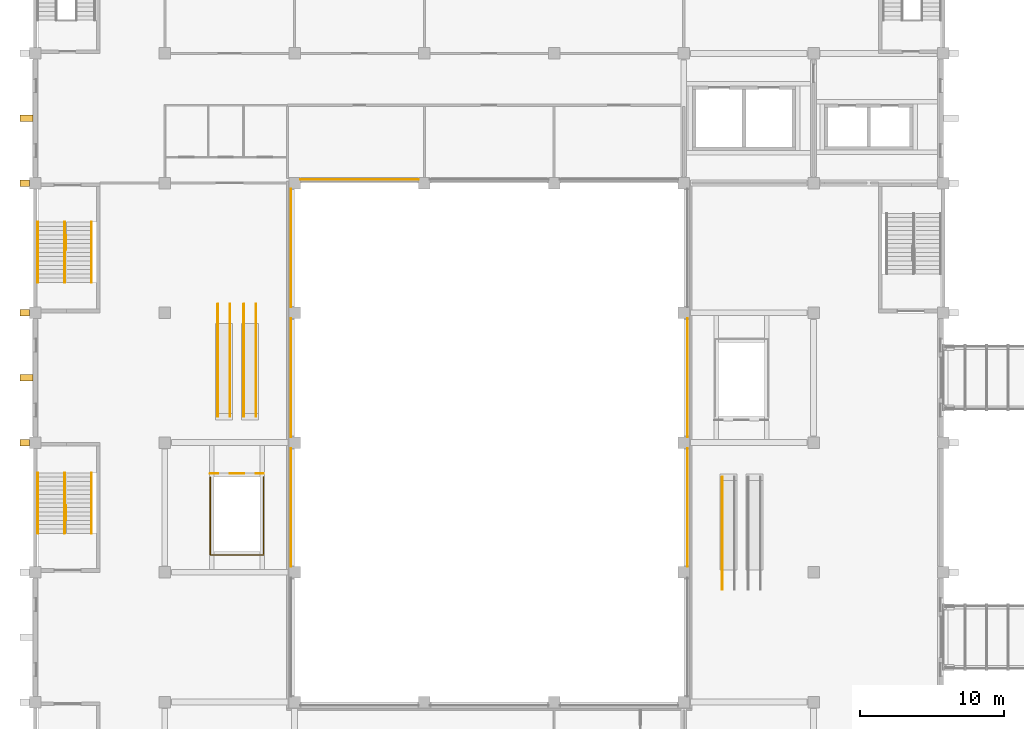
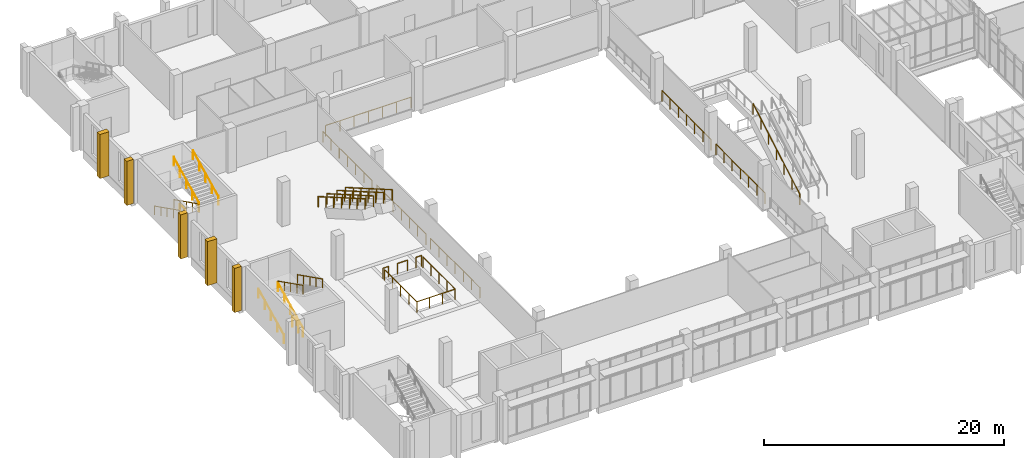
# One storey, part 98 of 106: 25 railings, 5 coverings.
"""IFC4 building model written with IfcOpenShell, lengths in metres."""

import ifcopenshell
import ifcopenshell.guid

model = None  # the IFC model being written
_history = None  # IfcOwnerHistory: only IFC2X3 demands one
_inside = {}  # id of a spatial element -> (the spatial element, [elements in it])
_under = {}  # id of a project, library or spatial element -> (it, [spatial elements below it])
_declared = {}  # id of a project -> (the project, [libraries it declares])
_typed = {}  # id of a type object -> (the type object, [elements of that type])
_made_of = {}  # id of a material, layer set ... -> (it, [elements and type objects made of it])


def new_model(schema):
    """Start an empty IFC model of exactly this schema.

    Asked for "IFC4X3", IfcOpenShell would pick the latest addendum, in which some entities
    have other attributes; the version numbers below select the first issue.
    IFC2X3 requires an IfcOwnerHistory on every rooted entity: one is made here for all.
    """
    global model, _history
    if schema == "IFC4X3":
        model = ifcopenshell.file(schema_version=(4, 3, 0, 0))
    else:
        model = ifcopenshell.file(schema=schema)
    _inside.clear()
    _under.clear()
    _declared.clear()
    _typed.clear()
    _made_of.clear()
    _history = None
    if model.schema == "IFC2X3":
        org = make("IfcOrganization", Name="unknown")
        user = make(
            "IfcPersonAndOrganization",
            ThePerson=make("IfcPerson", FamilyName="unknown"),
            TheOrganization=org,
        )
        app = make(
            "IfcApplication",
            ApplicationDeveloper=org,
            Version="unknown",
            ApplicationFullName="unknown",
            ApplicationIdentifier="unknown",
        )
        _history = make(
            "IfcOwnerHistory",
            OwningUser=user,
            OwningApplication=app,
            ChangeAction="ADDED",
            CreationDate=0,
        )
    return model


def make(cls, **values):
    """One entity of the class cls with the attributes given. An attribute that is None is left unset."""
    return model.create_entity(
        cls, **{name: value for name, value in values.items() if value is not None}
    )


def rooted(cls, **values):
    """An entity with a GlobalId (a new one), such as an element, a storey or a relation."""
    return make(cls, GlobalId=ifcopenshell.guid.new(), OwnerHistory=_history, **values)


def si_unit(unit_type, name, prefix=None):
    """IfcSIUnit, for example si_unit("LENGTHUNIT", "METRE", prefix="MILLI")."""
    return make("IfcSIUnit", UnitType=unit_type, Prefix=prefix, Name=name)


def assignment(units):
    """IfcUnitAssignment: the units of a project."""
    return None if units is None else make("IfcUnitAssignment", Units=units)


def point(xyz):
    """IfcCartesianPoint."""
    return None if xyz is None else make("IfcCartesianPoint", Coordinates=xyz)


def direction(xyz):
    """IfcDirection."""
    return None if xyz is None else make("IfcDirection", DirectionRatios=xyz)


def frame(location, z_axis=None, x_axis=None):
    """IfcAxis2Placement3D, a coordinate frame: its origin and axes. An axis left out is left unset."""
    return make(
        "IfcAxis2Placement3D",
        Location=point(location),
        Axis=direction(z_axis),
        RefDirection=direction(x_axis),
    )


def frame_2d(location, x_axis=None):
    """IfcAxis2Placement2D, a coordinate frame in the plane: its origin and x axis."""
    return make(
        "IfcAxis2Placement2D", Location=point(location), RefDirection=direction(x_axis)
    )


def origin():
    """The frame at (0, 0, 0) with its axes left unset."""
    return frame((0.0, 0.0, 0.0))


def origin_2d():
    """The frame at (0, 0) in the plane with its x axis left unset."""
    return frame_2d((0.0, 0.0))


def place(relative_to, where):
    """IfcLocalPlacement: puts the frame where relative to a parent placement (None: the world)."""
    return make(
        "IfcLocalPlacement", PlacementRelTo=relative_to, RelativePlacement=where
    )


def context(
    kind, dimensions, precision=None, world=None, true_north=None, identifier=None
):
    """IfcGeometricRepresentationContext, for example the 3D "Model" context."""
    return make(
        "IfcGeometricRepresentationContext",
        ContextIdentifier=identifier,
        ContextType=kind,
        CoordinateSpaceDimension=dimensions,
        Precision=precision,
        WorldCoordinateSystem=world,
        TrueNorth=true_north,
    )


def subcontext(parent, identifier, kind, view, scale=None):
    """IfcGeometricRepresentationSubContext, for example "Body" below "Model"."""
    return make(
        "IfcGeometricRepresentationSubContext",
        ContextIdentifier=identifier,
        ContextType=kind,
        ParentContext=parent,
        TargetScale=scale,
        TargetView=view,
    )


def project(units=None, contexts=None):
    """IfcProject with its units and contexts."""
    return rooted(
        "IfcProject",
        Name="project",
        RepresentationContexts=contexts,
        UnitsInContext=assignment(units),
    )


def spatial(cls, under=None, at=None, **own):
    """A site, building, storey or space (cls), placed at a placement, below another one or the project."""
    s = rooted(cls, ObjectPlacement=at, **own)
    if under is not None:
        _under.setdefault(under.id(), (under, []))[1].append(s)
    return s


def profile(cls, at=None, kind="AREA", **sizes):
    """A parametric profile (cls). Its sizes go by their IFC names, for example OverallWidth=200.0."""
    return make(cls, ProfileType=kind, Position=at, **sizes)


def rectangle(**sizes):
    """IfcRectangleProfileDef."""
    return profile("IfcRectangleProfileDef", **sizes)


def circle(**sizes):
    """IfcCircleProfileDef."""
    return profile("IfcCircleProfileDef", **sizes)


def extrude(swept, where, along, depth):
    """IfcExtrudedAreaSolid: the profile swept, set in the frame where, extruded along a direction by depth."""
    return make(
        "IfcExtrudedAreaSolid",
        SweptArea=swept,
        Position=where,
        ExtrudedDirection=direction(along),
        Depth=depth,
    )


def shape(context_of_items, identifier, shape_type, items):
    """IfcShapeRepresentation: the items that make up one representation, for example the "Body"."""
    return make(
        "IfcShapeRepresentation",
        ContextOfItems=context_of_items,
        RepresentationIdentifier=identifier,
        RepresentationType=shape_type,
        Items=items,
    )


def material(Name=None, Category=None):
    """IfcMaterial."""
    return make("IfcMaterial", Name=Name, Category=Category)


def layer(
    of_material, thickness, ventilated=None, Name=None, Category=None, Priority=None
):
    """IfcMaterialLayer: one layer of a wall or slab, of a material (None: an air gap)."""
    return make(
        "IfcMaterialLayer",
        Material=of_material,
        LayerThickness=thickness,
        IsVentilated=ventilated,
        Name=Name,
        Category=Category,
        Priority=Priority,
    )


def layer_set(layers, Name=None):
    """IfcMaterialLayerSet."""
    return make("IfcMaterialLayerSet", MaterialLayers=layers, LayerSetName=Name)


def made_of(thing, what):
    """Note that an element or type object is made of a material, layer set ...; save() writes the relation."""
    if what is not None:
        _made_of.setdefault(what.id(), (what, []))[1].append(thing)
    return thing


def type_object(cls, material=None, **own):
    """A type object (cls), such as IfcWallType, which elements share."""
    return made_of(rooted(cls, **own), material)


def element(
    cls,
    number,
    at=None,
    inside=None,
    cuts=None,
    type_object=None,
    material=None,
    context=None,
    identifier="Body",
    shape_type=None,
    held_by="IfcProductDefinitionShape",
    body=None,
    shapes=None,
    **own,
):
    """One element of the class cls, such as IfcWall. Its Tag is "e" and its number.

    at: its placement. inside: the storey or other place that contains it. cuts: it is an
    opening in that element (IfcRelVoidsElement). A single representation is given by context,
    identifier, shape_type and body (its items); several are given by shapes. held_by: the class
    of the entity that holds the representations. save() writes the other relations.
    """
    e = rooted(cls, Tag="e%d" % number, ObjectPlacement=at, **own)
    if body is not None:
        shapes = [shape(context, identifier, shape_type, body)]
    if shapes is not None:
        e.Representation = make(held_by, Representations=shapes)
    if inside is not None:
        _inside.setdefault(inside.id(), (inside, []))[1].append(e)
    if cuts is not None:
        rooted(
            "IfcRelVoidsElement", RelatingBuildingElement=cuts, RelatedOpeningElement=e
        )
    if type_object is not None:
        _typed.setdefault(type_object.id(), (type_object, []))[1].append(e)
    return made_of(e, material)


def aggregate(whole, parts):
    """IfcRelAggregates: a whole, such as a stair, and the parts it consists of."""
    return rooted("IfcRelAggregates", RelatingObject=whole, RelatedObjects=parts)


def save(model, path):
    """Write the relations noted so far, then the file.

    IfcRelAggregates (storeys below a building ...), IfcRelContainedInSpatialStructure (elements
    in a storey), IfcRelDefinesByType, IfcRelAssociatesMaterial and IfcRelDeclares: one each for
    every whole, place, type object, material and project.
    """
    for whole, parts in _under.values():
        aggregate(whole, parts)
    for where, things in _inside.values():
        rooted(
            "IfcRelContainedInSpatialStructure",
            RelatedElements=things,
            RelatingStructure=where,
        )
    for kind, things in _typed.values():
        rooted("IfcRelDefinesByType", RelatedObjects=things, RelatingType=kind)
    for what, things in _made_of.values():
        rooted("IfcRelAssociatesMaterial", RelatedObjects=things, RelatingMaterial=what)
    for by, libraries in _declared.values():
        rooted("IfcRelDeclares", RelatingContext=by, RelatedDefinitions=libraries)
    model.write(path)


model = new_model("IFC4")

# Units and contexts
model_context = context("Model", 3, precision=1e-05, world=origin(), true_north=direction((0.0, 1.0)))
body_context = subcontext(model_context, "Body", "Model", "MODEL_VIEW")
ifc_project = project(units=[si_unit("LENGTHUNIT", "METRE"), si_unit("AREAUNIT", "SQUARE_METRE"), si_unit("VOLUMEUNIT", "CUBIC_METRE"), si_unit("PLANEANGLEUNIT", "RADIAN"), si_unit("MASSUNIT", "GRAM", prefix="KILO")], contexts=[model_context])

# Site, building, storey
site_placement = place(None, origin())
site = spatial("IfcSite", under=ifc_project, at=site_placement, CompositionType="ELEMENT")
building_placement = place(site_placement, origin())
building = spatial("IfcBuilding", under=site, at=building_placement, Name="Guidao Yard Department Store", CompositionType="ELEMENT")
storey_placement = place(building_placement, frame((0.0, 0.0, 10.5)))
storey = spatial("IfcBuildingStorey", under=building, at=storey_placement, Name="L02", CompositionType="ELEMENT", Elevation=10.5)

# Railings
ifc_material_1 = material(Name="Laminated glass", Category="glass")
railing_type_1 = type_object("IfcRailingType", Name="Escalator balustrade glass 1100", PredefinedType="BALUSTRADE", material=ifc_material_1)
railing_1_placement = place(storey_placement, frame((47.679931640625, 61.800048828125, 0.0)))
element("IfcRailing", 1, at=railing_1_placement, inside=storey, type_object=railing_type_1, Name="Escalator EH5 up balustrade", PredefinedType="BALUSTRADE", context=body_context, shape_type="SweptSolid", body=[
    extrude(circle(Radius=0.030029296875, at=origin_2d()), frame((0.0, 0.0, 1.070068359375), z_axis=(0.0, 0.866017533419, 0.500013631625), x_axis=(-1.0, 0.0, 0.0)), (0.0, 0.0, 1.0), 8.999755859375),
    extrude(circle(Radius=0.02490234375, at=origin_2d()), origin(), (0.0, 0.0, 1.0), 1.0400390625),
    extrude(circle(Radius=0.02490234375, at=origin_2d()), frame((0.0, 1.299072265625, 0.75)), (0.0, 0.0, 1.0), 1.0400390625),
    extrude(circle(Radius=0.02490234375, at=origin_2d()), frame((0.0, 2.597900390625, 1.5)), (0.0, 0.0, 1.0), 1.0400390625),
    extrude(circle(Radius=0.02490234375, at=origin_2d()), frame((0.0, 3.89697265625, 2.25)), (0.0, 0.0, 1.0), 1.0400390625),
    extrude(circle(Radius=0.02490234375, at=origin_2d()), frame((0.0, 5.196044921875, 3.0)), (0.0, 0.0, 1.0), 1.0400390625),
    extrude(circle(Radius=0.02490234375, at=origin_2d()), frame((0.0, 6.494873046875, 3.75)), (0.0, 0.0, 1.0), 1.0400390625),
    extrude(circle(Radius=0.02490234375, at=origin_2d()), frame((0.0, 7.7939453125, 4.5)), (0.0, 0.0, 1.0), 1.0400390625),
])
for number, where, name in (
    (2, (12.679931640625, 81.60009765625, 0.0), "Escalator EH6 up balustrade"),
    (3, (13.52001953125, 81.60009765625, 0.0), "Escalator EH6 up balustrade"),
    (4, (14.47998046875, 81.60009765625, 0.0), "Escalator EH6 down balustrade"),
    (5, (15.320068359375, 81.60009765625, 0.0), "Escalator EH6 down balustrade"),
):
    element("IfcRailing", number, at=place(storey_placement, frame(where)), inside=storey, type_object=railing_type_1, Name=name, PredefinedType="BALUSTRADE", context=body_context, shape_type="SweptSolid", body=[
        extrude(circle(Radius=0.030029296875, at=origin_2d()), frame((0.0, 0.0, 1.070068359375), z_axis=(0.0, -0.866024315419, 0.5000018851), x_axis=(1.0, 0.0, 0.0)), (0.0, 0.0, 1.0), 9.0),
        extrude(circle(Radius=0.02490234375, at=origin_2d()), origin(), (0.0, 0.0, 1.0), 1.0400390625),
        extrude(circle(Radius=0.02490234375, at=origin_2d()), frame((0.0, -1.299072265625, 0.75)), (0.0, 0.0, 1.0), 1.0400390625),
        extrude(circle(Radius=0.02490234375, at=origin_2d()), frame((0.0, -2.59814453125, 1.5)), (0.0, 0.0, 1.0), 1.0400390625),
        extrude(circle(Radius=0.02490234375, at=origin_2d()), frame((0.0, -3.89697265625, 2.25)), (0.0, 0.0, 1.0), 1.0400390625),
        extrude(circle(Radius=0.02490234375, at=origin_2d()), frame((0.0, -5.196044921875, 3.0)), (0.0, 0.0, 1.0), 1.0400390625),
        extrude(circle(Radius=0.02490234375, at=origin_2d()), frame((0.0, -6.4951171875, 3.75)), (0.0, 0.0, 1.0), 1.0400390625),
        extrude(circle(Radius=0.02490234375, at=origin_2d()), frame((0.0, -7.794189453125, 4.5)), (0.0, 0.0, 1.0), 1.0400390625),
    ])
ifc_material_2 = material(Name="Steel Q235", Category="steel")
railing_type_2 = type_object("IfcRailingType", Name="Guard steel balustrade 1100", PredefinedType="GUARDRAIL", material=ifc_material_2)
railing_2_placement = place(storey_placement, frame((2.125, 66.6298828125, 0.0)))
element("IfcRailing", 6, at=railing_2_placement, inside=storey, type_object=railing_type_2, Name="Stair A1 guard L02 1", PredefinedType="GUARDRAIL", context=body_context, shape_type="SweptSolid", body=[
    extrude(circle(Radius=0.02392578125, at=origin_2d()), frame((0.0, 0.0, 1.076171875), z_axis=(0.0, 1.0, 0.0), x_axis=(-1.0, 0.0, 0.0)), (0.0, 0.0, 1.0), 1.0),
    extrude(circle(Radius=0.02099609375, at=origin_2d()), origin(), (0.0, 0.0, 1.0), 1.052001953125),
    extrude(circle(Radius=0.02099609375, at=origin_2d()), frame((0.0, 1.0, 0.0)), (0.0, 0.0, 1.0), 1.052001953125),
])
railing_3_placement = place(storey_placement, frame((2.125, 86.3701171875, 0.0)))
element("IfcRailing", 7, at=railing_3_placement, inside=storey, type_object=railing_type_2, Name="Stair A3 guard L02 3", PredefinedType="GUARDRAIL", context=body_context, shape_type="SweptSolid", body=[
    extrude(circle(Radius=0.02392578125, at=origin_2d()), frame((0.0, 0.0, 1.076171875), z_axis=(0.0, -1.0, 0.0), x_axis=(1.0, 0.0, 0.0)), (0.0, 0.0, 1.0), 1.0),
    extrude(circle(Radius=0.02099609375, at=origin_2d()), origin(), (0.0, 0.0, 1.0), 1.052001953125),
    extrude(circle(Radius=0.02099609375, at=origin_2d()), frame((0.0, -1.0, 0.0)), (0.0, 0.0, 1.0), 1.052001953125),
])
railing_4_placement = place(storey_placement, frame((12.14990234375, 69.843994140625, 0.0)))
element("IfcRailing", 8, at=railing_4_placement, inside=storey, type_object=railing_type_2, Name="Guard escalator EH3 arrival 1", PredefinedType="GUARDRAIL", context=body_context, shape_type="SweptSolid", body=[
    extrude(circle(Radius=0.02392578125, at=origin_2d()), frame((0.0, 0.0, 1.076171875), z_axis=(1.0, 0.0, 0.0), x_axis=(0.0, 1.0, 0.0)), (0.0, 0.0, 1.0), 0.530029296875),
    extrude(circle(Radius=0.02099609375, at=origin_2d()), origin(), (0.0, 0.0, 1.0), 1.052001953125),
    extrude(circle(Radius=0.02099609375, at=origin_2d()), frame((0.530029296875, 0.0, 0.0)), (0.0, 0.0, 1.0), 1.052001953125),
])
railing_5_placement = place(storey_placement, frame((13.52001953125, 69.843994140625, 0.0)))
element("IfcRailing", 9, at=railing_5_placement, inside=storey, type_object=railing_type_2, Name="Guard escalator EH3 arrival 2", PredefinedType="GUARDRAIL", context=body_context, shape_type="SweptSolid", body=[
    extrude(circle(Radius=0.02392578125, at=origin_2d()), frame((0.0, 0.0, 1.076171875), z_axis=(1.0, 0.0, 0.0), x_axis=(0.0, 1.0, 0.0)), (0.0, 0.0, 1.0), 0.9599609375),
    extrude(circle(Radius=0.02099609375, at=origin_2d()), origin(), (0.0, 0.0, 1.0), 1.052001953125),
    extrude(circle(Radius=0.02099609375, at=origin_2d()), frame((0.9599609375, 0.0, 0.0)), (0.0, 0.0, 1.0), 1.052001953125),
])
railing_6_placement = place(storey_placement, frame((15.320068359375, 69.843994140625, 0.0)))
element("IfcRailing", 10, at=railing_6_placement, inside=storey, type_object=railing_type_2, Name="Guard escalator EH3 arrival 3", PredefinedType="GUARDRAIL", context=body_context, shape_type="SweptSolid", body=[
    extrude(circle(Radius=0.02392578125, at=origin_2d()), frame((0.0, 0.0, 1.076171875), z_axis=(1.0, 0.0, 0.0), x_axis=(0.0, 1.0, 0.0)), (0.0, 0.0, 1.0), 0.530029296875),
    extrude(circle(Radius=0.02099609375, at=origin_2d()), origin(), (0.0, 0.0, 1.0), 1.052001953125),
    extrude(circle(Radius=0.02099609375, at=origin_2d()), frame((0.530029296875, 0.0, 0.0)), (0.0, 0.0, 1.0), 1.052001953125),
])
for number, where, name in (
    (11, (45.25, 63.39990234375, 0.0), "Guard atrium E L02"),
    (12, (45.25, 72.39990234375, 0.0), "Guard atrium E L02"),
):
    element("IfcRailing", number, at=place(storey_placement, frame(where)), inside=storey, type_object=railing_type_2, Name=name, PredefinedType="GUARDRAIL", context=body_context, shape_type="SweptSolid", body=[
        extrude(circle(Radius=0.02392578125, at=origin_2d()), frame((0.0, 0.0, 1.076171875), z_axis=(0.0, 1.0, 0.0), x_axis=(-1.0, 0.0, 0.0)), (0.0, 0.0, 1.0), 8.2001953125),
        extrude(circle(Radius=0.02099609375, at=origin_2d()), origin(), (0.0, 0.0, 1.0), 1.052001953125),
        extrude(circle(Radius=0.02099609375, at=origin_2d()), frame((0.0, 1.36669921875, 0.0)), (0.0, 0.0, 1.0), 1.052001953125),
        extrude(circle(Radius=0.02099609375, at=origin_2d()), frame((0.0, 2.7333984375, 0.0)), (0.0, 0.0, 1.0), 1.052001953125),
        extrude(circle(Radius=0.02099609375, at=origin_2d()), frame((0.0, 4.10009765625, 0.0)), (0.0, 0.0, 1.0), 1.052001953125),
        extrude(circle(Radius=0.02099609375, at=origin_2d()), frame((0.0, 5.466796875, 0.0)), (0.0, 0.0, 1.0), 1.052001953125),
        extrude(circle(Radius=0.02099609375, at=origin_2d()), frame((0.0, 6.83349609375, 0.0)), (0.0, 0.0, 1.0), 1.052001953125),
        extrude(circle(Radius=0.02099609375, at=origin_2d()), frame((0.0, 8.2001953125, 0.0)), (0.0, 0.0, 1.0), 1.052001953125),
    ])
railing_7_placement = place(storey_placement, frame((26.60009765625, 90.25, 0.0)))
element("IfcRailing", 13, at=railing_7_placement, inside=storey, type_object=railing_type_2, Name="Guard atrium N L02", PredefinedType="GUARDRAIL", context=body_context, shape_type="SweptSolid", body=[
    extrude(circle(Radius=0.02392578125, at=origin_2d()), frame((0.0, 0.0, 1.076171875), z_axis=(-1.0, 0.0, 0.0), x_axis=(0.0, -1.0, 0.0)), (0.0, 0.0, 1.0), 8.2001953125),
    extrude(circle(Radius=0.02099609375, at=origin_2d()), origin(), (0.0, 0.0, 1.0), 1.052001953125),
    extrude(circle(Radius=0.02099609375, at=origin_2d()), frame((-1.36669921875, 0.0, 0.0)), (0.0, 0.0, 1.0), 1.052001953125),
    extrude(circle(Radius=0.02099609375, at=origin_2d()), frame((-2.7333984375, 0.0, 0.0)), (0.0, 0.0, 1.0), 1.052001953125),
    extrude(circle(Radius=0.02099609375, at=origin_2d()), frame((-4.10009765625, 0.0, 0.0)), (0.0, 0.0, 1.0), 1.052001953125),
    extrude(circle(Radius=0.02099609375, at=origin_2d()), frame((-5.466796875, 0.0, 0.0)), (0.0, 0.0, 1.0), 1.052001953125),
    extrude(circle(Radius=0.02099609375, at=origin_2d()), frame((-6.83349609375, 0.0, 0.0)), (0.0, 0.0, 1.0), 1.052001953125),
    extrude(circle(Radius=0.02099609375, at=origin_2d()), frame((-8.2001953125, 0.0, 0.0)), (0.0, 0.0, 1.0), 1.052001953125),
])
for number, where, name in (
    (14, (17.75, 89.60009765625, 0.0), "Guard atrium W L02"),
    (15, (17.75, 80.60009765625, 0.0), "Guard atrium W L02"),
    (16, (17.75, 71.60009765625, 0.0), "Guard atrium W L02"),
):
    element("IfcRailing", number, at=place(storey_placement, frame(where)), inside=storey, type_object=railing_type_2, Name=name, PredefinedType="GUARDRAIL", context=body_context, shape_type="SweptSolid", body=[
        extrude(circle(Radius=0.02392578125, at=origin_2d()), frame((0.0, 0.0, 1.076171875), z_axis=(0.0, -1.0, 0.0), x_axis=(1.0, 0.0, 0.0)), (0.0, 0.0, 1.0), 8.2001953125),
        extrude(circle(Radius=0.02099609375, at=origin_2d()), origin(), (0.0, 0.0, 1.0), 1.052001953125),
        extrude(circle(Radius=0.02099609375, at=origin_2d()), frame((0.0, -1.36669921875, 0.0)), (0.0, 0.0, 1.0), 1.052001953125),
        extrude(circle(Radius=0.02099609375, at=origin_2d()), frame((0.0, -2.7333984375, 0.0)), (0.0, 0.0, 1.0), 1.052001953125),
        extrude(circle(Radius=0.02099609375, at=origin_2d()), frame((0.0, -4.10009765625, 0.0)), (0.0, 0.0, 1.0), 1.052001953125),
        extrude(circle(Radius=0.02099609375, at=origin_2d()), frame((0.0, -5.466796875, 0.0)), (0.0, 0.0, 1.0), 1.052001953125),
        extrude(circle(Radius=0.02099609375, at=origin_2d()), frame((0.0, -6.83349609375, 0.0)), (0.0, 0.0, 1.0), 1.052001953125),
        extrude(circle(Radius=0.02099609375, at=origin_2d()), frame((0.0, -8.2001953125, 0.0)), (0.0, 0.0, 1.0), 1.052001953125),
    ])
railing_8_placement = place(storey_placement, frame((15.85009765625, 69.593994140625, 0.0)))
element("IfcRailing", 17, at=railing_8_placement, inside=storey, type_object=railing_type_2, Name="Guard well EH3 L02", PredefinedType="GUARDRAIL", context=body_context, shape_type="SweptSolid", body=[
    extrude(circle(Radius=0.02392578125, at=origin_2d()), frame((0.0, 0.0, 1.076171875), z_axis=(0.0, -1.0, 0.0), x_axis=(1.0, 0.0, 0.0)), (0.0, 0.0, 1.0), 5.387939453125),
    extrude(circle(Radius=0.02392578125, at=origin_2d()), frame((0.0, -5.387939453125, 1.076171875), z_axis=(-1.0, 0.0, 0.0), x_axis=(0.0, -1.0, 0.0)), (0.0, 0.0, 1.0), 3.7001953125),
    extrude(circle(Radius=0.02392578125, at=origin_2d()), frame((-3.7001953125, -5.387939453125, 1.076171875), z_axis=(0.0, 1.0, 0.0), x_axis=(-1.0, 0.0, 0.0)), (0.0, 0.0, 1.0), 5.387939453125),
    extrude(circle(Radius=0.02099609375, at=origin_2d()), origin(), (0.0, 0.0, 1.0), 1.052001953125),
    extrude(circle(Radius=0.02099609375, at=origin_2d()), frame((0.0, -1.346923828125, 0.0)), (0.0, 0.0, 1.0), 1.052001953125),
    extrude(circle(Radius=0.02099609375, at=origin_2d()), frame((0.0, -2.69384765625, 0.0)), (0.0, 0.0, 1.0), 1.052001953125),
    extrude(circle(Radius=0.02099609375, at=origin_2d()), frame((0.0, -4.041015625, 0.0)), (0.0, 0.0, 1.0), 1.052001953125),
    extrude(circle(Radius=0.02099609375, at=origin_2d()), frame((0.0, -5.387939453125, 0.0)), (0.0, 0.0, 1.0), 1.052001953125),
    extrude(circle(Radius=0.02099609375, at=origin_2d()), frame((-1.2333984375, -5.387939453125, 0.0)), (0.0, 0.0, 1.0), 1.052001953125),
    extrude(circle(Radius=0.02099609375, at=origin_2d()), frame((-2.466796875, -5.387939453125, 0.0)), (0.0, 0.0, 1.0), 1.052001953125),
    extrude(circle(Radius=0.02099609375, at=origin_2d()), frame((-3.7001953125, -5.387939453125, 0.0)), (0.0, 0.0, 1.0), 1.052001953125),
    extrude(circle(Radius=0.02099609375, at=origin_2d()), frame((-3.7001953125, -4.041015625, 0.0)), (0.0, 0.0, 1.0), 1.052001953125),
    extrude(circle(Radius=0.02099609375, at=origin_2d()), frame((-3.7001953125, -2.69384765625, 0.0)), (0.0, 0.0, 1.0), 1.052001953125),
    extrude(circle(Radius=0.02099609375, at=origin_2d()), frame((-3.7001953125, -1.346923828125, 0.0)), (0.0, 0.0, 1.0), 1.052001953125),
    extrude(circle(Radius=0.02099609375, at=origin_2d()), frame((-3.7001953125, 0.0, 0.0)), (0.0, 0.0, 1.0), 1.052001953125),
])
ifc_material_3 = material(Name="Steel Q235", Category="steel")
railing_type_3 = type_object("IfcRailingType", Name="Handrail steel tube 48", PredefinedType="HANDRAIL", material=ifc_material_3)
for number, where, name in (
    (18, (0.18505859375, 65.699951171875, 0.14990234375), "Stair A1 hand rail L02 1"),
    (19, (2.050048828125, 65.699951171875, 0.14990234375), "Stair A1 hand rail L02 2"),
):
    element("IfcRailing", number, at=place(storey_placement, frame(where)), inside=storey, type_object=railing_type_3, Name=name, PredefinedType="HANDRAIL", context=body_context, shape_type="SweptSolid", body=[
        extrude(circle(Radius=0.02392578125, at=origin_2d()), frame((0.0, 0.0, 0.8759765625), z_axis=(0.0, 0.894416792377, 0.447234392142), x_axis=(-1.0, 0.0, 0.0)), (0.0, 0.0, 1.0), 4.69580078125),
        extrude(circle(Radius=0.02099609375, at=origin_2d()), origin(), (0.0, 0.0, 1.0), 0.851806640625),
        extrude(circle(Radius=0.02099609375, at=origin_2d()), frame((0.0, 1.050048828125, 0.52490234375)), (0.0, 0.0, 1.0), 0.851806640625),
        extrude(circle(Radius=0.02099609375, at=origin_2d()), frame((0.0, 2.10009765625, 1.050048828125)), (0.0, 0.0, 1.0), 0.851806640625),
        extrude(circle(Radius=0.02099609375, at=origin_2d()), frame((0.0, 3.14990234375, 1.5751953125)), (0.0, 0.0, 1.0), 0.851806640625),
        extrude(circle(Radius=0.02099609375, at=origin_2d()), frame((0.0, 4.199951171875, 2.10009765625)), (0.0, 0.0, 1.0), 0.851806640625),
    ])
for number, where, name in (
    (20, (3.9150390625, 69.89990234375, 2.39990234375), "Stair A1 hand rail L02 3"),
    (21, (2.050048828125, 69.89990234375, 2.39990234375), "Stair A1 hand rail L02 4"),
    (22, (0.18505859375, 87.300048828125, 0.14990234375), "Stair A3 hand rail L02 9"),
    (23, (2.050048828125, 87.300048828125, 0.14990234375), "Stair A3 hand rail L02 10"),
):
    element("IfcRailing", number, at=place(storey_placement, frame(where)), inside=storey, type_object=railing_type_3, Name=name, PredefinedType="HANDRAIL", context=body_context, shape_type="SweptSolid", body=[
        extrude(circle(Radius=0.02392578125, at=origin_2d()), frame((0.0, 0.0, 0.8759765625), z_axis=(0.0, -0.894416792377, 0.447234392142), x_axis=(1.0, 0.0, 0.0)), (0.0, 0.0, 1.0), 4.69580078125),
        extrude(circle(Radius=0.02099609375, at=origin_2d()), origin(), (0.0, 0.0, 1.0), 0.851806640625),
        extrude(circle(Radius=0.02099609375, at=origin_2d()), frame((0.0, -1.050048828125, 0.52490234375)), (0.0, 0.0, 1.0), 0.851806640625),
        extrude(circle(Radius=0.02099609375, at=origin_2d()), frame((0.0, -2.10009765625, 1.050048828125)), (0.0, 0.0, 1.0), 0.851806640625),
        extrude(circle(Radius=0.02099609375, at=origin_2d()), frame((0.0, -3.14990234375, 1.5751953125)), (0.0, 0.0, 1.0), 0.851806640625),
        extrude(circle(Radius=0.02099609375, at=origin_2d()), frame((0.0, -4.199951171875, 2.10009765625)), (0.0, 0.0, 1.0), 0.851806640625),
    ])
for number, where, name in (
    (24, (3.9150390625, 83.10009765625, 2.39990234375), "Stair A3 hand rail L02 11"),
    (25, (2.050048828125, 83.10009765625, 2.39990234375), "Stair A3 hand rail L02 12"),
):
    element("IfcRailing", number, at=place(storey_placement, frame(where)), inside=storey, type_object=railing_type_3, Name=name, PredefinedType="HANDRAIL", context=body_context, shape_type="SweptSolid", body=[
        extrude(circle(Radius=0.02392578125, at=origin_2d()), frame((0.0, 0.0, 0.8759765625), z_axis=(0.0, 0.894416792377, 0.447234392142), x_axis=(-1.0, 0.0, 0.0)), (0.0, 0.0, 1.0), 4.69580078125),
        extrude(circle(Radius=0.02099609375, at=origin_2d()), origin(), (0.0, 0.0, 1.0), 0.851806640625),
        extrude(circle(Radius=0.02099609375, at=origin_2d()), frame((0.0, 1.050048828125, 0.52490234375)), (0.0, 0.0, 1.0), 0.851806640625),
        extrude(circle(Radius=0.02099609375, at=origin_2d()), frame((0.0, 2.10009765625, 1.050048828125)), (0.0, 0.0, 1.0), 0.851806640625),
        extrude(circle(Radius=0.02099609375, at=origin_2d()), frame((0.0, 3.14990234375, 1.5751953125)), (0.0, 0.0, 1.0), 0.851806640625),
        extrude(circle(Radius=0.02099609375, at=origin_2d()), frame((0.0, 4.199951171875, 2.10009765625)), (0.0, 0.0, 1.0), 0.851806640625),
    ])

# Coverings
ifc_material_4 = material(Name="Precast concrete C40/50", Category="concrete")
ifc_layer = layer(ifc_material_4, 0.449951171875)
ifc_layer_set = layer_set([ifc_layer], Name="Precast fin FN1 board-formed concrete")
covering_type = type_object("IfcCoveringType", Name="Precast fin FN1 board-formed concrete", PredefinedType="CLADDING", material=ifc_layer_set)
covering_1_placement = place(storey_placement, frame((-0.72509765625, 72.0, 0.0), z_axis=(0.0, 0.0, 1.0), x_axis=(0.0, 1.0, 0.0)))
element("IfcCovering", 26, at=covering_1_placement, inside=storey, type_object=covering_type, Name="Precast fin", PredefinedType="CLADDING", context=body_context, shape_type="SweptSolid", body=[
    extrude(rectangle(XDim=0.449951171875, YDim=0.64990234375, at=origin_2d()), origin(), (0.0, 0.0, 1.0), 4.5),
])
covering_2_placement = place(storey_placement, frame((-0.60009765625, 76.5, 0.0), z_axis=(0.0, 0.0, 1.0), x_axis=(0.0, 1.0, 0.0)))
element("IfcCovering", 27, at=covering_2_placement, inside=storey, type_object=covering_type, Name="Precast fin", PredefinedType="CLADDING", context=body_context, shape_type="SweptSolid", body=[
    extrude(rectangle(XDim=0.449951171875, YDim=0.89990234375, at=origin_2d()), origin(), (0.0, 0.0, 1.0), 4.5),
])
for number, where, z_axis, x_axis, name in (
    (28, (-0.72509765625, 81.0, 0.0), (0.0, 0.0, 1.0), (0.0, 1.0, 0.0), "Precast fin"),
    (29, (-0.72509765625, 90.0, 0.0), (0.0, 0.0, 1.0), (0.0, 1.0, 0.0), "Precast fin"),
):
    element("IfcCovering", number, at=place(storey_placement, frame(where, z_axis=z_axis, x_axis=x_axis)), inside=storey, type_object=covering_type, Name=name, PredefinedType="CLADDING", context=body_context, shape_type="SweptSolid", body=[
        extrude(rectangle(XDim=0.449951171875, YDim=0.64990234375, at=origin_2d()), origin(), (0.0, 0.0, 1.0), 4.5),
    ])
covering_3_placement = place(storey_placement, frame((-0.60009765625, 94.5, 0.0), z_axis=(0.0, 0.0, 1.0), x_axis=(0.0, 1.0, 0.0)))
element("IfcCovering", 30, at=covering_3_placement, inside=storey, type_object=covering_type, Name="Precast fin", PredefinedType="CLADDING", context=body_context, shape_type="SweptSolid", body=[
    extrude(rectangle(XDim=0.449951171875, YDim=0.89990234375, at=origin_2d()), origin(), (0.0, 0.0, 1.0), 4.5),
])

save(model, "model.ifc")
